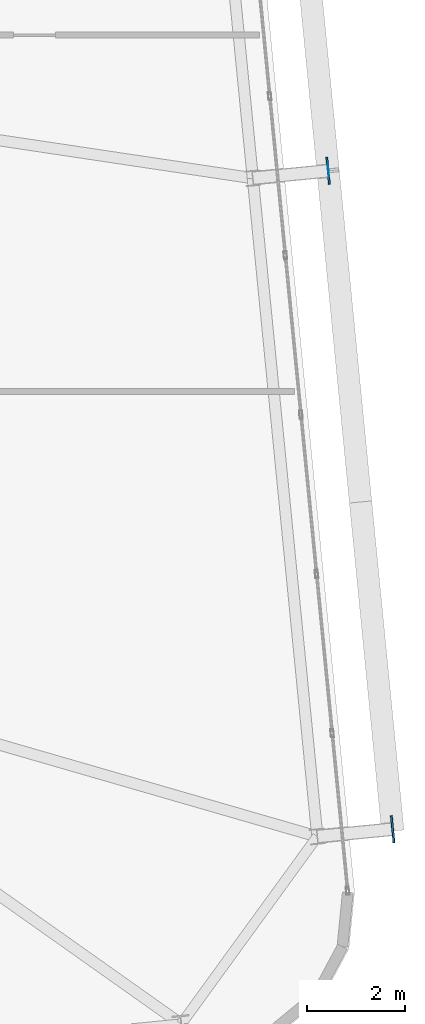
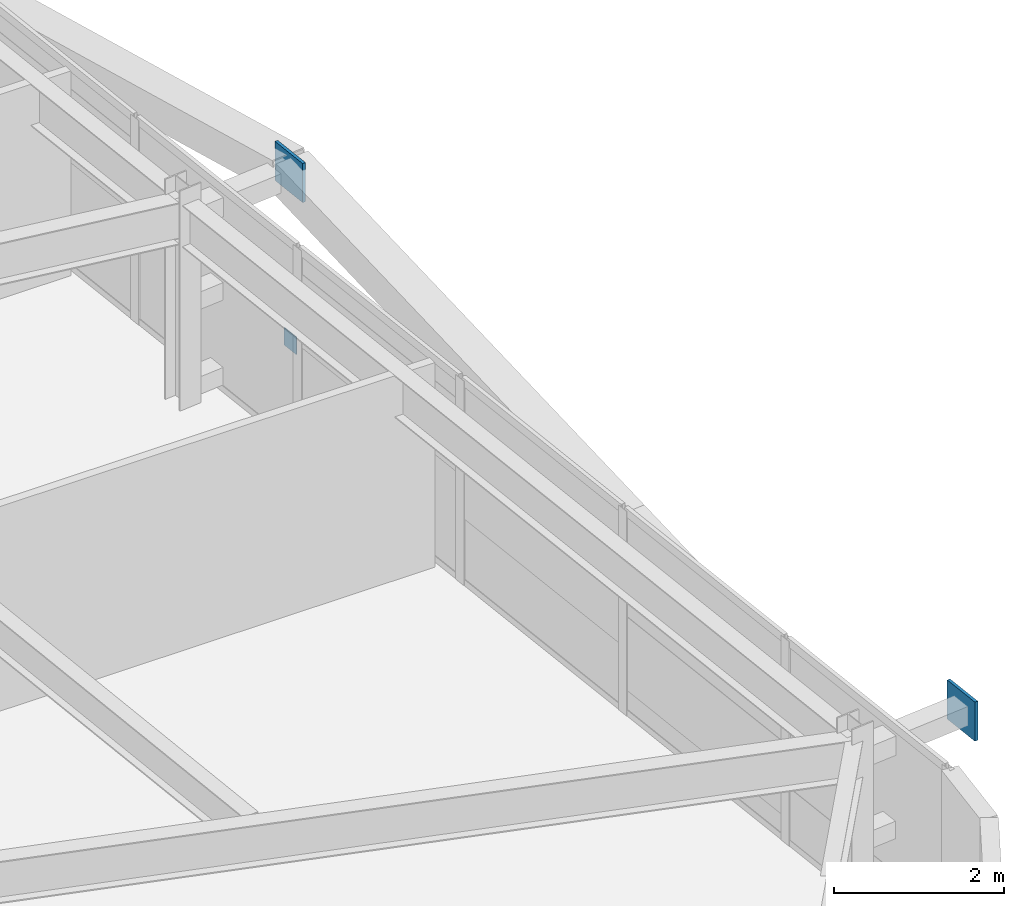
# One storey, part 42 of 52: 3 plates.
"""IFC4 building model written with IfcOpenShell, lengths in metres."""

from ifc_helpers import new_model, si_unit, direction, frame, origin, origin_2d, place, context, subcontext, project, spatial, rectangle, extrude, source, transform, mapped, material, layer, layer_set, type_object, element, save


model = new_model("IFC4")

# Units and contexts
model_context = context("Model", 3, precision=1e-05, world=origin(), true_north=direction((0.0, 1.0)))
body_context = subcontext(model_context, "Body", "Model", "MODEL_VIEW")
ifc_project = project(units=[si_unit("LENGTHUNIT", "METRE"), si_unit("AREAUNIT", "SQUARE_METRE"), si_unit("VOLUMEUNIT", "CUBIC_METRE"), si_unit("PLANEANGLEUNIT", "RADIAN"), si_unit("MASSUNIT", "GRAM", prefix="KILO")], contexts=[model_context])

# Site, building, storey
site_placement = place(None, origin())
site = spatial("IfcSite", under=ifc_project, at=site_placement, CompositionType="ELEMENT")
building_placement = place(site_placement, origin())
building = spatial("IfcBuilding", under=site, at=building_placement, Name="Taldren Reach Tower", CompositionType="ELEMENT")
storey_placement = place(building_placement, frame((0.0, 0.0, 93.449951171875)))
storey = spatial("IfcBuildingStorey", under=building, at=storey_placement, Name="L28", CompositionType="ELEMENT", Elevation=93.449951171875)

# Plates
ifc_material_1 = material(Name="Steel Gr 450 (C450L0)", Category="steel")
ifc_layer_1 = layer(ifc_material_1, 0.0400390625)
ifc_layer_set_1 = layer_set([ifc_layer_1], Name="Steel Gr 450 (C450L0)")
plate_type_1 = type_object("IfcPlateType", Name="PL-GUSSET-40", PredefinedType="SHEET", material=ifc_layer_set_1)
shared_shape_1 = source(origin(), body_context, "Body", "SweptSolid", [
    extrude(rectangle(XDim=0.56005859375, YDim=0.0400390625, at=origin_2d()), origin(), (0.0, 0.0, 1.0), 0.56005859375),
])
for number, where, z_axis, x_axis, name in (
    (1, (67.434326171875, 8.634765625, 2.3701171875), (0.0, 0.0, 1.0), (-0.097582899759, 0.995227399982, 0.0), "Exoskeleton star-node gusset plate B2-E1 L28"),
    (2, (66.112060546875, 22.1201171875, 2.3701171875), (0.0, 0.0, 1.0), (-0.097582899759, 0.995227399982, 0.0), "Exoskeleton star-node gusset plate B2-E2 L28"),
):
    element("IfcPlate", number, at=place(storey_placement, frame(where, z_axis=z_axis, x_axis=x_axis)), inside=storey, type_object=plate_type_1, Name=name, PredefinedType="SHEET", context=body_context, shape_type="MappedRepresentation", body=[
        mapped(shared_shape_1, transform((0.0, 0.0, 0.0), scale=1.0)),
    ])
ifc_material_2 = material(Name="Steel Gr 350 (C350L0)", Category="steel")
ifc_layer_2 = layer(ifc_material_2, 0.011962890625)
ifc_layer_set_2 = layer_set([ifc_layer_2], Name="Steel Gr 350 (C350L0)")
plate_type_2 = type_object("IfcPlateType", Name="PL-CAP-250", PredefinedType="SHEET", material=ifc_layer_set_2)
shared_shape_2 = source(origin(), body_context, "Body", "SweptSolid", [
    extrude(rectangle(XDim=0.011962890625, YDim=0.25, at=origin_2d()), origin(), (0.0, 0.0, 1.0), 0.25),
])
plate_placement = place(storey_placement, frame((66.1181640625, 22.120849609375, 0.094970703125), z_axis=(0.0, 0.0, 1.0), x_axis=(0.995227399982, 0.097582899759, 0.0)))
element("IfcPlate", 3, at=plate_placement, inside=storey, type_object=plate_type_2, Name="Tie strut end cap plate B2-E2 L28", PredefinedType="SHEET", context=body_context, shape_type="MappedRepresentation", body=[
    mapped(shared_shape_2, transform((0.0, 0.0, 0.0), scale=1.0)),
])

save(model, "model.ifc")
